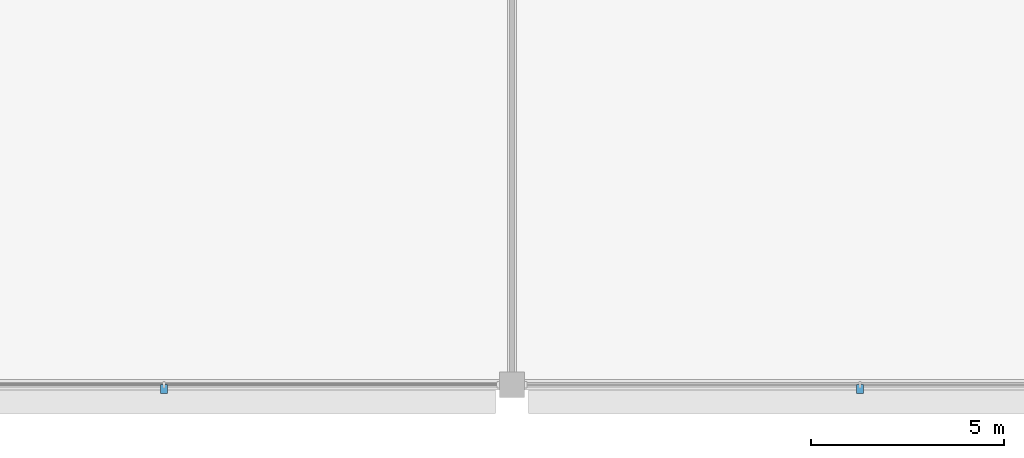
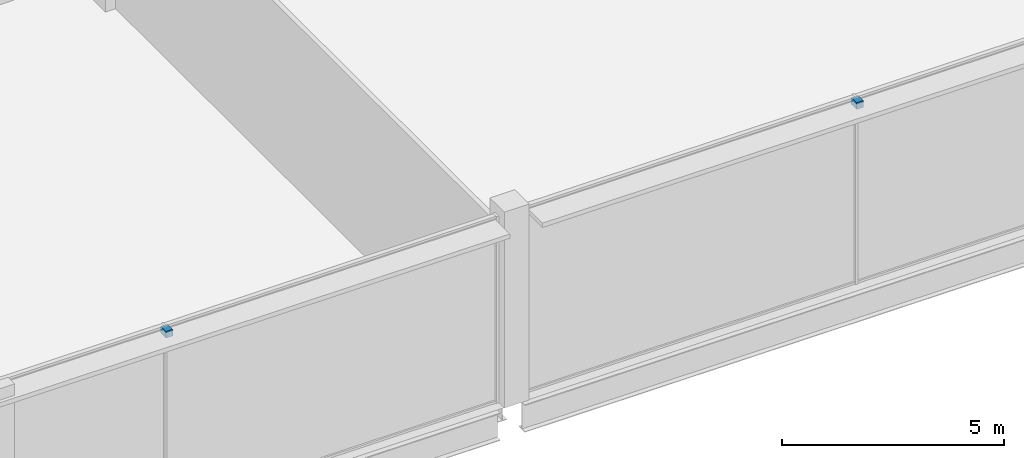
# One storey, part 71 of 111: 2 discrete accessories.
"""IFC4 building model written with IfcOpenShell, lengths in metres."""

from ifc_helpers import new_model, si_unit, direction, frame, origin, origin_2d, place, context, subcontext, project, spatial, rectangle, extrude, material, type_object, element, save


model = new_model("IFC4")

# Units and contexts
model_context = context("Model", 3, precision=1e-05, world=origin(), true_north=direction((0.0, 1.0)))
body_context = subcontext(model_context, "Body", "Model", "MODEL_VIEW")
ifc_project = project(units=[si_unit("LENGTHUNIT", "METRE"), si_unit("AREAUNIT", "SQUARE_METRE"), si_unit("VOLUMEUNIT", "CUBIC_METRE"), si_unit("PLANEANGLEUNIT", "RADIAN"), si_unit("MASSUNIT", "GRAM", prefix="KILO")], contexts=[model_context])

# Site, building, storey
site_placement = place(None, origin())
site = spatial("IfcSite", under=ifc_project, at=site_placement, CompositionType="ELEMENT")
building_placement = place(site_placement, origin())
building = spatial("IfcBuilding", under=site, at=building_placement, Name="Kisiwana Market Hall", CompositionType="ELEMENT")
storey_placement = place(building_placement, frame((0.0, 0.0, 11.39990234375)))
storey = spatial("IfcBuildingStorey", under=building, at=storey_placement, Name="L02", CompositionType="ELEMENT", Elevation=11.39990234375)

# Discrete accessories
ifc_material = material(Name="Steel S355", Category="steel")
discrete_accessory_type = type_object("IfcDiscreteAccessoryType", Name="ACC-BRACKET-STL", PredefinedType="BRACKET", material=ifc_material)
for number, where, z_axis, x_axis, name in (
    (1, (90.0, -0.110107421875, 4.93994140625), (0.0, 0.0, 1.0), (1.0, 0.0, 0.0), "Sunshade steel bracket BRK-037"),
    (2, (108.0, -0.110107421875, 4.93994140625), (0.0, 0.0, 1.0), (1.0, 0.0, 0.0), "Sunshade steel bracket BRK-038"),
):
    element("IfcDiscreteAccessory", number, at=place(storey_placement, frame(where, z_axis=z_axis, x_axis=x_axis)), inside=storey, type_object=discrete_accessory_type, Name=name, PredefinedType="BRACKET", context=body_context, shape_type="SweptSolid", body=[
        extrude(rectangle(XDim=0.179931640625, YDim=0.239990234375, at=origin_2d()), origin(), (0.0, 0.0, 1.0), 0.179931640625),
    ])

save(model, "model.ifc")
